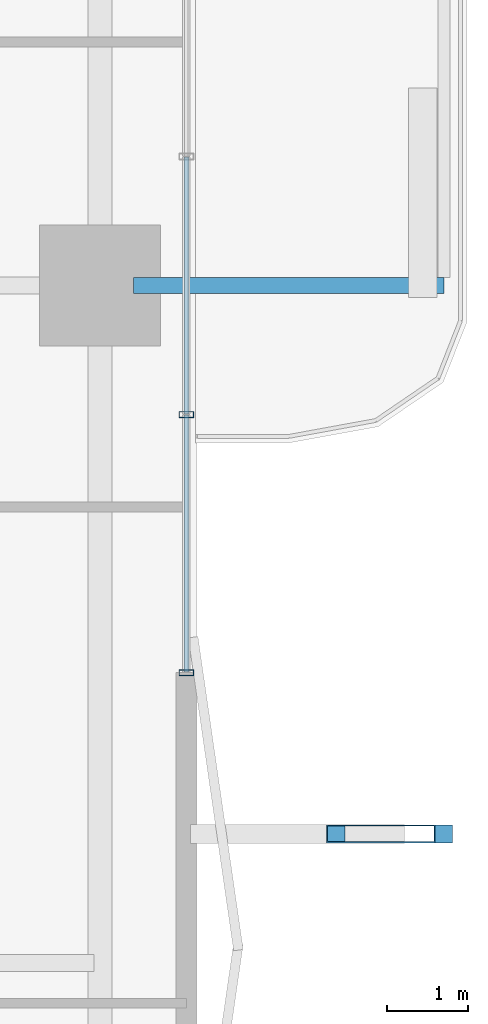
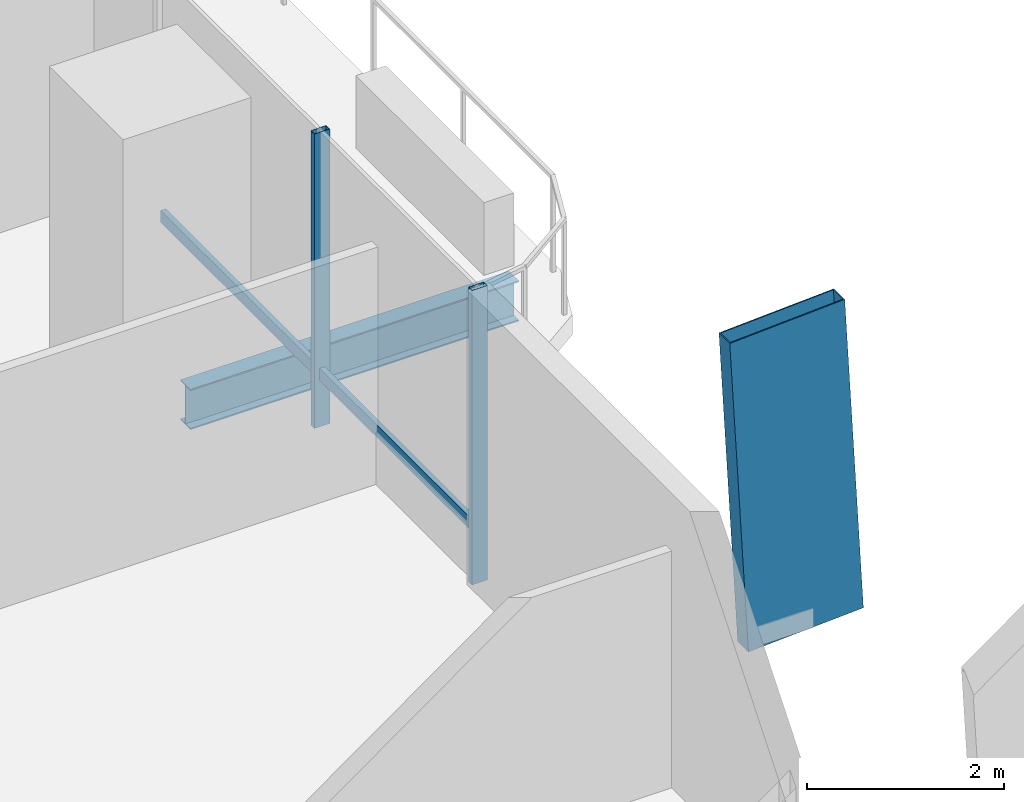
# One storey, part 8 of 24: 5 members, 1 beam, 1 element without a shape of its own.
"""IFC4 building model written with IfcOpenShell, lengths in metres."""

from ifc_helpers import new_model, si_unit, direction, frame, origin, origin_2d, place, context, subcontext, project, spatial, hollow_rectangle, i_section, extrude, material, layer, layer_set, material_profile, profile_set, type_object, element, aggregate, save


model = new_model("IFC4")

# Units and contexts
model_context = context("Model", 3, precision=1e-05, world=origin(), true_north=direction((0.0, 1.0)))
body_context = subcontext(model_context, "Body", "Model", "MODEL_VIEW")
ifc_project = project(units=[si_unit("LENGTHUNIT", "METRE"), si_unit("AREAUNIT", "SQUARE_METRE"), si_unit("VOLUMEUNIT", "CUBIC_METRE"), si_unit("PLANEANGLEUNIT", "RADIAN"), si_unit("MASSUNIT", "GRAM", prefix="KILO")], contexts=[model_context])

# Site, building, storey
site_placement = place(None, origin())
site = spatial("IfcSite", under=ifc_project, at=site_placement, CompositionType="ELEMENT")
building_placement = place(site_placement, origin())
building = spatial("IfcBuilding", under=site, at=building_placement, Name="Belovzor Exchange Tower", CompositionType="ELEMENT")
storey_placement = place(building_placement, frame((0.0, 0.0, 49.5)))
storey = spatial("IfcBuildingStorey", under=building, at=storey_placement, Name="L11", CompositionType="ELEMENT", Elevation=49.5)

# Member
ifc_material_1 = material(Name="Extruded Architectural Terracotta on Steel S355 Carrier", Category="masonry")
ifc_material_profile_1 = material_profile(ifc_material_1, hollow_rectangle(XDim=0.219970703125, YDim=1.35009765625, WallThickness=0.013916015625, at=origin_2d()))
ifc_profile_set_1 = profile_set([ifc_material_profile_1], Name="Extruded Architectural Terracotta on Steel S355 Carrier")
member_type_1 = type_object("IfcMemberType", Name="Base Arc Sweeping Terracotta Pylon Fin 1450", PredefinedType="USERDEFINED", material=ifc_profile_set_1)
member_1_placement = place(storey_placement, frame((59.197998046875, 22.0, -0.25), z_axis=(-0.056065425443, 0.0, 0.998427097023), x_axis=(0.0, -1.0, 0.0)))
element("IfcMember", 1, at=member_1_placement, inside=storey, type_object=member_type_1, Name="FIN-TC145 Terracotta Facade Fin L11 E2", ObjectType="FIN", PredefinedType="USERDEFINED", context=body_context, shape_type="SweptSolid", body=[
    extrude(hollow_rectangle(XDim=0.219970703125, YDim=1.35009765625, WallThickness=0.013916015625, at=origin_2d()), origin(), (0.0, 0.0, 1.0), 3.906005859375),
])

# Beam
ifc_material_2 = material(Name="Steel S355", Category="steel")
ifc_material_profile_2 = material_profile(ifc_material_2, i_section(OverallWidth=0.199951171875, OverallDepth=0.5, WebThickness=0.01025390625, FlangeThickness=0.01611328125, at=origin_2d()))
ifc_profile_set_2 = profile_set([ifc_material_profile_2], Name="Steel S355")
beam_type = type_object("IfcBeamType", Name="Planted Balcony Cantilever Beam IPE 500", PredefinedType="BEAM", material=ifc_profile_set_2)
beam_placement = place(storey_placement, frame((55.9130859375, 28.800048828125, -0.5), z_axis=(1.0, 0.0, 0.0), x_axis=(0.0, 1.0, 0.0)))
element("IfcBeam", 2, at=beam_placement, inside=storey, type_object=beam_type, Name="BC-500 Planted Balcony Cantilever Beam IPE 500", PredefinedType="BEAM", context=body_context, shape_type="SweptSolid", body=[
    extrude(i_section(OverallWidth=0.199951171875, OverallDepth=0.5, WebThickness=0.01025390625, FlangeThickness=0.01611328125, at=origin_2d()), origin(), (0.0, 0.0, 1.0), 3.849853515625),
])

# Curtain wall, members
ifc_material_3 = material(Name="Anodised Aluminium Framing", Category="aluminium")
ifc_layer = layer(ifc_material_3, 0.179931640625)
ifc_layer_set = layer_set([ifc_layer], Name="Anodised Aluminium Framing")
curtain_wall_type = type_object("IfcCurtainWallType", Name="Recessed Loggia Low-Iron Triple-Glazed Curtain Wall", PredefinedType="NOTDEFINED", material=ifc_layer_set)
curtain_wall_placement = place(storey_placement, origin())
curtain_wall = element("IfcCurtainWall", 3, at=curtain_wall_placement, inside=storey, type_object=curtain_wall_type, Name="CW3 Recessed Loggia Low-Iron Triple-Glazed Curtain Wall L11", PredefinedType="NOTDEFINED")
ifc_material_4 = material(Name="Steel S355", Category="steel")
ifc_material_profile_3 = material_profile(ifc_material_4, hollow_rectangle(XDim=0.074951171875, YDim=0.179931640625, WallThickness=0.0048828125, at=origin_2d()))
ifc_profile_set_3 = profile_set([ifc_material_profile_3], Name="Steel S355")
member_type_2 = type_object("IfcMemberType", Name="Thermally Broken Curtain Wall Mullion 180x75", PredefinedType="MULLION", material=ifc_profile_set_3)
member_2_placement = place(storey_placement, frame((56.570068359375, 27.199951171875, 0.0), z_axis=(0.0, 0.0, 1.0), x_axis=(0.0, -1.0, 0.0)))
member_2 = element("IfcMember", 4, at=member_2_placement, type_object=member_type_2, Name="CW-M180 Curtain Wall Mullion 3", PredefinedType="MULLION", context=body_context, shape_type="SweptSolid", body=[
    extrude(hollow_rectangle(XDim=0.074951171875, YDim=0.179931640625, WallThickness=0.0048828125, at=origin_2d()), origin(), (0.0, 0.0, 1.0), 3.64990234375),
])
member_3_placement = place(storey_placement, frame((56.570068359375, 24.0, 0.0), z_axis=(0.0, 0.0, 1.0), x_axis=(0.0, -1.0, 0.0)))
member_3 = element("IfcMember", 5, at=member_3_placement, type_object=member_type_2, Name="CW-M180 Curtain Wall Mullion 4", PredefinedType="MULLION", context=body_context, shape_type="SweptSolid", body=[
    extrude(hollow_rectangle(XDim=0.074951171875, YDim=0.179931640625, WallThickness=0.0048828125, at=origin_2d()), origin(), (0.0, 0.0, 1.0), 3.64990234375),
])
ifc_material_5 = material(Name="Steel S355", Category="steel")
ifc_material_profile_4 = material_profile(ifc_material_5, hollow_rectangle(XDim=0.06005859375, YDim=0.14990234375, WallThickness=0.00390625, at=origin_2d()))
ifc_profile_set_4 = profile_set([ifc_material_profile_4], Name="Steel S355")
member_type_3 = type_object("IfcMemberType", Name="Thermally Broken Curtain Wall Transom 150x60", PredefinedType="USERDEFINED", material=ifc_profile_set_4)
member_4_placement = place(storey_placement, frame((56.570068359375, 30.39208984375, 0.64990234375), z_axis=(0.0, -1.0, 0.0), x_axis=(1.0, 0.0, 0.0)))
member_4 = element("IfcMember", 6, at=member_4_placement, type_object=member_type_3, Name="CW-T150 Curtain Wall Transom 2", ObjectType="TRANSOM", PredefinedType="USERDEFINED", context=body_context, shape_type="SweptSolid", body=[
    extrude(hollow_rectangle(XDim=0.06005859375, YDim=0.14990234375, WallThickness=0.00390625, at=origin_2d()), origin(), (0.0, 0.0, 1.0), 3.18408203125),
])
member_5_placement = place(storey_placement, frame((56.570068359375, 27.19189453125, 0.64990234375), z_axis=(0.0, -1.0, 0.0), x_axis=(1.0, 0.0, 0.0)))
member_5 = element("IfcMember", 7, at=member_5_placement, type_object=member_type_3, Name="CW-T150 Curtain Wall Transom 3", ObjectType="TRANSOM", PredefinedType="USERDEFINED", context=body_context, shape_type="SweptSolid", body=[
    extrude(hollow_rectangle(XDim=0.06005859375, YDim=0.14990234375, WallThickness=0.00390625, at=origin_2d()), origin(), (0.0, 0.0, 1.0), 3.183837890625),
])
aggregate(curtain_wall, [member_2, member_3, member_4, member_5])

save(model, "model.ifc")
